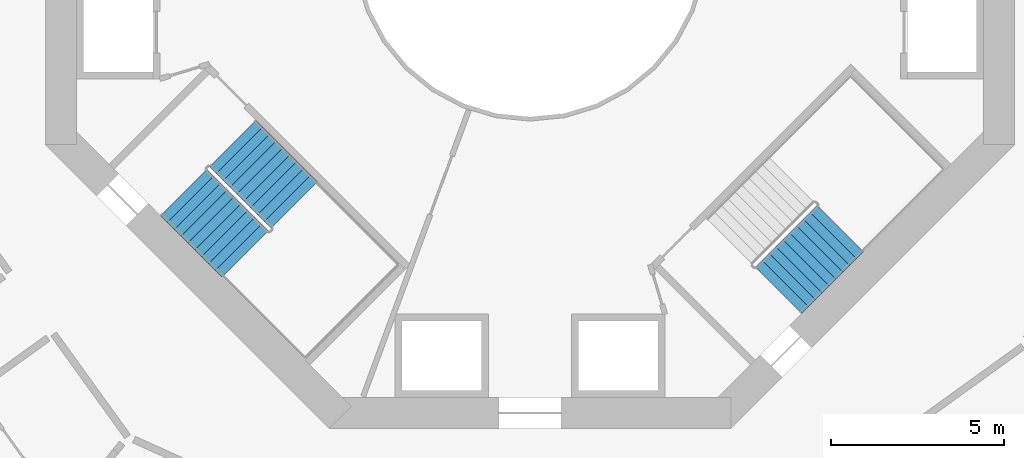
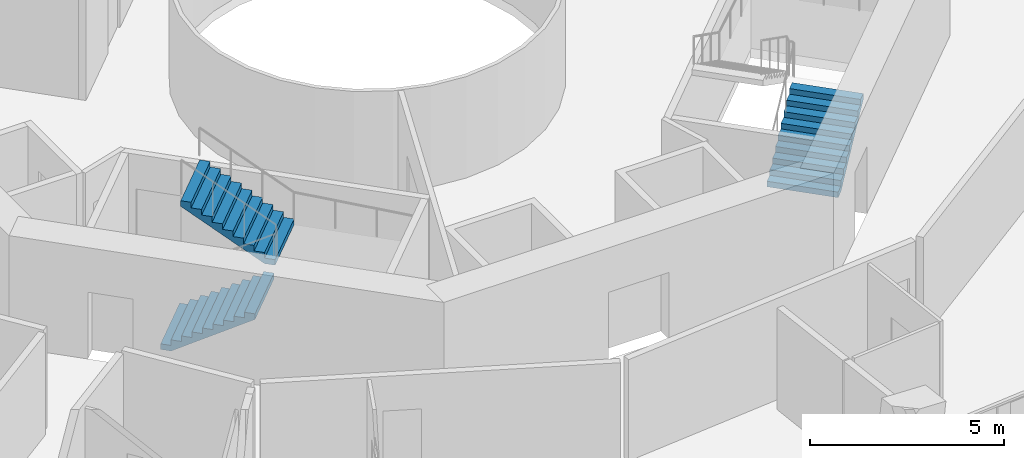
# One storey, part 24 of 26: 3 stair flights, 2 elements without a shape of their own.
"""IFC4 building model written with IfcOpenShell, lengths in metres."""

from ifc_helpers import new_model, si_unit, direction, frame, origin, place, context, subcontext, project, spatial, triangles, material, type_object, element, aggregate, save


model = new_model("IFC4")

# Units and contexts
model_context = context("Model", 3, precision=1e-05, world=origin(), true_north=direction((0.0, 1.0)))
body_context = subcontext(model_context, "Body", "Model", "MODEL_VIEW")
ifc_project = project(units=[si_unit("LENGTHUNIT", "METRE"), si_unit("AREAUNIT", "SQUARE_METRE"), si_unit("VOLUMEUNIT", "CUBIC_METRE"), si_unit("PLANEANGLEUNIT", "RADIAN"), si_unit("MASSUNIT", "GRAM", prefix="KILO")], contexts=[model_context])

# Site, building, storey
site_placement = place(None, origin())
site = spatial("IfcSite", under=ifc_project, at=site_placement, CompositionType="ELEMENT")
building_placement = place(site_placement, origin())
building = spatial("IfcBuilding", under=site, at=building_placement, Name="Verdalira Terraces Hotel", CompositionType="ELEMENT")
storey_placement = place(building_placement, frame((0.0, 0.0, 56.5)))
storey = spatial("IfcBuildingStorey", under=building, at=storey_placement, Name="L12", CompositionType="ELEMENT", Elevation=56.5)

# Stair, stair flights
ifc_material_1 = material(Name="Concrete C40", Category="concrete")
stair_type = type_object("IfcStairType", Name="Core stair 20 risers 1900 mm wide", PredefinedType="HALF_TURN_STAIR", material=ifc_material_1)
stair_1_placement = place(storey_placement, origin())
stair_1 = element("IfcStair", 1, at=stair_1_placement, inside=storey, type_object=stair_type, Name="L12 Exit stair ST2", PredefinedType="HALF_TURN_STAIR")
ifc_material_2 = material(Name="Concrete C40", Category="concrete")
stair_flight_type = type_object("IfcStairFlightType", Name="Core stair flight 20 risers 1900 mm wide", PredefinedType="STRAIGHT", material=ifc_material_2)
stair_flight_1_placement = place(storey_placement, frame((-10.005615, -7.177246, 0.0), z_axis=(0.0, 0.0, 1.0), x_axis=(0.707106781, -0.707106781, 0.0)))
stair_flight_1 = element("IfcStairFlight", 2, at=stair_flight_1_placement, type_object=stair_flight_type, Name="ST2 flight 1", NumberOfRisers=10, NumberOfTreads=9, PredefinedType="STRAIGHT", RiserHeight=0.175, TreadLength=0.28, context=body_context, shape_type="Tessellation", body=[
    triangles([(0.0, 0.949951, 0.0), (0.282715, 0.949951, 0.0), (2.52002, 0.949951, 1.398193), (0.0, -0.949951, 0.0), (0.282715, -0.949951, 0.0), (2.52002, -0.949951, 1.398193), (2.52002, 0.949951, 1.574951), (2.23999, 0.949951, 1.574951), (2.52002, -0.949951, 1.574951), (2.23999, -0.949951, 1.574951), (2.23999, 0.949951, 1.399902), (2.23999, -0.949951, 1.399902), (1.959961, 0.949951, 1.399902), (1.959961, -0.949951, 1.399902), (1.959961, 0.949951, 1.225098), (1.959961, -0.949951, 1.225098), (1.679932, 0.949951, 1.225098), (1.679932, 0.949951, 1.050049), (1.679932, -0.949951, 1.225098), (1.679932, -0.949951, 1.050049), (1.399902, 0.949951, 1.050049), (1.399902, 0.949951, 0.875), (1.399902, -0.949951, 1.050049), (1.399902, -0.949951, 0.875), (1.120117, 0.949951, 0.875), (1.120117, 0.949951, 0.699951), (1.120117, -0.949951, 0.875), (1.120117, -0.949951, 0.699951), (0.840088, 0.949951, 0.699951), (0.840088, 0.949951, 0.524902), (0.840088, -0.949951, 0.699951), (0.840088, -0.949951, 0.524902), (0.560059, 0.949951, 0.524902), (0.560059, 0.949951, 0.350098), (0.560059, -0.949951, 0.524902), (0.560059, -0.949951, 0.350098), (0.280029, 0.949951, 0.350098), (0.280029, 0.949951, 0.175049), (0.280029, -0.949951, 0.350098), (0.280029, -0.949951, 0.175049), (0.0, 0.949951, 0.175049), (0.0, -0.949951, 0.175049), (0.0, -0.890579, 0.0), (0.0, -0.890579, 0.175049), (0.0, -0.831207, 0.0), (0.0, -0.831207, 0.175049), (0.0, -0.771835, 0.0), (0.0, -0.771835, 0.175049), (0.0, -0.712463, 0.0), (0.0, -0.712463, 0.175049), (0.0, -0.653091, 0.0), (0.0, -0.653091, 0.175049), (0.0, -0.593719, 0.0), (0.0, -0.593719, 0.175049), (0.0, -0.534348, 0.0), (0.0, -0.534348, 0.175049), (0.0, -0.474976, 0.0), (0.0, -0.474976, 0.175049), (0.0, -0.415604, 0.0), (0.0, -0.415604, 0.175049), (0.0, -0.356232, 0.0), (0.0, -0.356232, 0.175049), (0.0, -0.29686, 0.0), (0.0, -0.29686, 0.175049), (0.0, -0.237488, 0.0), (0.0, -0.237488, 0.175049), (0.0, -0.178116, 0.0), (0.0, -0.178116, 0.175049), (0.0, -0.118744, 0.0), (0.0, -0.118744, 0.175049), (0.0, -0.059372, 0.0), (0.0, -0.059372, 0.175049), (0.0, 0.0, 0.0), (0.0, 0.0, 0.175049), (0.0, 0.059372, 0.0), (0.0, 0.059372, 0.175049), (0.0, 0.118744, 0.0), (0.0, 0.118744, 0.175049), (0.0, 0.178116, 0.0), (0.0, 0.178116, 0.175049), (0.0, 0.237488, 0.0), (0.0, 0.237488, 0.175049), (0.0, 0.29686, 0.0), (0.0, 0.29686, 0.175049), (0.0, 0.356232, 0.0), (0.0, 0.356232, 0.175049), (0.0, 0.415604, 0.0), (0.0, 0.415604, 0.175049), (0.0, 0.474976, 0.0), (0.0, 0.474976, 0.175049), (0.0, 0.534348, 0.0), (0.0, 0.534348, 0.175049), (0.0, 0.593719, 0.0), (0.0, 0.593719, 0.175049), (0.0, 0.653091, 0.0), (0.0, 0.653091, 0.175049), (0.0, 0.712463, 0.0), (0.0, 0.712463, 0.175049), (0.0, 0.771835, 0.0), (0.0, 0.771835, 0.175049), (0.0, 0.831207, 0.0), (0.0, 0.831207, 0.175049), (0.0, 0.890579, 0.0), (0.0, 0.890579, 0.175049), (2.52002, -0.890579, 1.574951), (2.52002, -0.831207, 1.574951), (2.52002, -0.771835, 1.574951), (2.52002, -0.712463, 1.574951), (2.52002, -0.653091, 1.574951), (2.52002, -0.593719, 1.574951), (2.52002, -0.534348, 1.574951), (2.52002, -0.474976, 1.574951), (2.52002, -0.415604, 1.574951), (2.52002, -0.356232, 1.574951), (2.52002, -0.29686, 1.574951), (2.52002, -0.237488, 1.574951), (2.52002, -0.178116, 1.574951), (2.52002, -0.118744, 1.574951), (2.52002, -0.059372, 1.574951), (2.52002, 0.0, 1.574951), (2.52002, 0.059372, 1.574951), (2.52002, 0.118744, 1.574951), (2.52002, 0.178116, 1.574951), (2.52002, 0.237488, 1.574951), (2.52002, 0.29686, 1.574951), (2.52002, 0.356232, 1.574951), (2.52002, 0.415604, 1.574951), (2.52002, 0.474976, 1.574951), (2.52002, 0.534348, 1.574951), (2.52002, 0.593719, 1.574951), (2.52002, 0.653091, 1.574951), (2.52002, 0.712463, 1.574951), (2.52002, 0.771835, 1.574951), (2.52002, 0.831207, 1.574951), (2.52002, 0.890579, 1.574951), (2.52002, -0.890579, 1.398193), (2.52002, -0.831207, 1.398193), (2.52002, -0.771835, 1.398193), (2.52002, -0.712463, 1.398193), (2.52002, -0.653091, 1.398193), (2.52002, -0.593719, 1.398193), (2.52002, -0.534348, 1.398193), (2.52002, -0.474976, 1.398193), (2.52002, -0.415604, 1.398193), (2.52002, -0.356232, 1.398193), (2.52002, -0.29686, 1.398193), (2.52002, -0.237488, 1.398193), (2.52002, -0.178116, 1.398193), (2.52002, -0.118744, 1.398193), (2.52002, -0.059372, 1.398193), (2.52002, 0.0, 1.398193), (2.52002, 0.059372, 1.398193), (2.52002, 0.118744, 1.398193), (2.52002, 0.178116, 1.398193), (2.52002, 0.237488, 1.398193), (2.52002, 0.29686, 1.398193), (2.52002, 0.356232, 1.398193), (2.52002, 0.415604, 1.398193), (2.52002, 0.474976, 1.398193), (2.52002, 0.534348, 1.398193), (2.52002, 0.593719, 1.398193), (2.52002, 0.653091, 1.398193), (2.52002, 0.712463, 1.398193), (2.52002, 0.771835, 1.398193), (2.52002, 0.831207, 1.398193), (2.52002, 0.890579, 1.398193)], [[1, 3, 2], [4, 5, 6], [3, 8, 7], [6, 9, 10], [3, 11, 8], [6, 10, 12], [3, 13, 11], [6, 12, 14], [3, 15, 13], [6, 14, 16], [15, 18, 17], [16, 19, 20], [3, 18, 15], [6, 16, 20], [18, 22, 21], [20, 23, 24], [3, 22, 18], [6, 20, 24], [22, 26, 25], [24, 27, 28], [3, 26, 22], [6, 24, 28], [26, 30, 29], [28, 31, 32], [3, 30, 26], [6, 28, 32], [1, 30, 3], [4, 6, 32], [30, 34, 33], [32, 35, 36], [34, 38, 37], [36, 39, 40], [30, 38, 34], [32, 36, 40], [1, 38, 30], [4, 32, 40], [38, 1, 41], [40, 42, 4], [4, 44, 43], [4, 42, 44], [43, 46, 45], [43, 44, 46], [45, 48, 47], [45, 46, 48], [47, 50, 49], [47, 48, 50], [49, 52, 51], [49, 50, 52], [51, 54, 53], [51, 52, 54], [53, 56, 55], [53, 54, 56], [55, 58, 57], [55, 56, 58], [57, 60, 59], [57, 58, 60], [59, 62, 61], [59, 60, 62], [61, 64, 63], [61, 62, 64], [63, 66, 65], [63, 64, 66], [65, 68, 67], [65, 66, 68], [67, 70, 69], [67, 68, 70], [69, 72, 71], [69, 70, 72], [71, 74, 73], [71, 72, 74], [73, 76, 75], [73, 74, 76], [75, 78, 77], [75, 76, 78], [77, 80, 79], [77, 78, 80], [79, 82, 81], [79, 80, 82], [81, 84, 83], [81, 82, 84], [83, 86, 85], [83, 84, 86], [85, 88, 87], [85, 86, 88], [87, 90, 89], [87, 88, 90], [89, 92, 91], [89, 90, 92], [91, 94, 93], [91, 92, 94], [93, 96, 95], [93, 94, 96], [95, 98, 97], [95, 96, 98], [97, 100, 99], [97, 98, 100], [99, 102, 101], [99, 100, 102], [101, 104, 103], [101, 102, 104], [103, 41, 1], [103, 104, 41], [42, 40, 44], [44, 40, 46], [46, 40, 48], [48, 40, 50], [50, 40, 52], [52, 40, 54], [54, 40, 56], [56, 40, 58], [58, 40, 60], [60, 40, 62], [62, 40, 64], [64, 40, 66], [66, 40, 68], [68, 40, 70], [70, 40, 72], [72, 40, 74], [74, 40, 76], [76, 40, 78], [78, 40, 80], [80, 40, 82], [82, 40, 84], [84, 40, 86], [86, 40, 88], [88, 40, 90], [90, 40, 92], [92, 40, 94], [94, 40, 96], [96, 40, 98], [98, 40, 100], [100, 40, 102], [102, 40, 104], [104, 40, 41], [41, 40, 38], [40, 37, 38], [40, 39, 37], [39, 34, 37], [39, 36, 34], [36, 33, 34], [36, 35, 33], [35, 30, 33], [35, 32, 30], [32, 29, 30], [32, 31, 29], [31, 26, 29], [31, 28, 26], [28, 25, 26], [28, 27, 25], [27, 22, 25], [27, 24, 22], [24, 21, 22], [24, 23, 21], [23, 18, 21], [23, 20, 18], [20, 17, 18], [20, 19, 17], [19, 15, 17], [19, 16, 15], [16, 13, 15], [16, 14, 13], [14, 11, 13], [14, 12, 11], [12, 8, 11], [12, 10, 8], [9, 105, 10], [105, 106, 10], [106, 107, 10], [107, 108, 10], [108, 109, 10], [109, 110, 10], [110, 111, 10], [111, 112, 10], [112, 113, 10], [113, 114, 10], [114, 115, 10], [115, 116, 10], [116, 117, 10], [117, 118, 10], [118, 119, 10], [119, 120, 10], [120, 121, 10], [121, 122, 10], [122, 123, 10], [123, 124, 10], [124, 125, 10], [125, 126, 10], [126, 127, 10], [127, 128, 10], [128, 129, 10], [129, 130, 10], [130, 131, 10], [131, 132, 10], [132, 133, 10], [133, 134, 10], [134, 135, 10], [135, 7, 10], [7, 8, 10], [9, 136, 105], [9, 6, 136], [105, 137, 106], [105, 136, 137], [106, 138, 107], [106, 137, 138], [107, 139, 108], [107, 138, 139], [108, 140, 109], [108, 139, 140], [109, 141, 110], [109, 140, 141], [110, 142, 111], [110, 141, 142], [111, 143, 112], [111, 142, 143], [112, 144, 113], [112, 143, 144], [113, 145, 114], [113, 144, 145], [114, 146, 115], [114, 145, 146], [115, 147, 116], [115, 146, 147], [116, 148, 117], [116, 147, 148], [117, 149, 118], [117, 148, 149], [118, 150, 119], [118, 149, 150], [119, 151, 120], [119, 150, 151], [120, 152, 121], [120, 151, 152], [121, 153, 122], [121, 152, 153], [122, 154, 123], [122, 153, 154], [123, 155, 124], [123, 154, 155], [124, 156, 125], [124, 155, 156], [125, 157, 126], [125, 156, 157], [126, 158, 127], [126, 157, 158], [127, 159, 128], [127, 158, 159], [128, 160, 129], [128, 159, 160], [129, 161, 130], [129, 160, 161], [130, 162, 131], [130, 161, 162], [131, 163, 132], [131, 162, 163], [132, 164, 133], [132, 163, 164], [133, 165, 134], [133, 164, 165], [134, 166, 135], [134, 165, 166], [135, 3, 7], [135, 166, 3], [6, 5, 136], [136, 5, 137], [137, 5, 138], [138, 5, 139], [139, 5, 140], [140, 5, 141], [141, 5, 142], [142, 5, 143], [143, 5, 144], [144, 5, 145], [145, 5, 146], [146, 5, 147], [147, 5, 148], [148, 5, 149], [149, 5, 150], [150, 5, 151], [151, 5, 152], [152, 5, 153], [153, 5, 154], [154, 5, 155], [155, 5, 156], [156, 5, 157], [157, 5, 158], [158, 5, 159], [159, 5, 160], [160, 5, 161], [161, 5, 162], [162, 5, 163], [163, 5, 164], [164, 5, 165], [165, 5, 166], [166, 5, 3], [3, 5, 2], [4, 43, 5], [43, 45, 5], [45, 47, 5], [47, 49, 5], [49, 51, 5], [51, 53, 5], [53, 55, 5], [55, 57, 5], [57, 59, 5], [59, 61, 5], [61, 63, 5], [63, 65, 5], [65, 67, 5], [67, 69, 5], [69, 71, 5], [71, 73, 5], [73, 75, 5], [75, 77, 5], [77, 79, 5], [79, 81, 5], [81, 83, 5], [83, 85, 5], [85, 87, 5], [87, 89, 5], [89, 91, 5], [91, 93, 5], [93, 95, 5], [95, 97, 5], [97, 99, 5], [99, 101, 5], [101, 103, 5], [103, 1, 5], [1, 2, 5]], closed=True),
])
stair_flight_2_placement = place(storey_placement, frame((-6.809326, -7.544922, 1.75), z_axis=(0.0, 0.0, 1.0), x_axis=(-0.707106781, 0.707106781, 0.0)))
stair_flight_2 = element("IfcStairFlight", 3, at=stair_flight_2_placement, type_object=stair_flight_type, Name="ST2 flight 2", NumberOfRisers=10, NumberOfTreads=9, PredefinedType="STRAIGHT", RiserHeight=0.175, TreadLength=0.28, context=body_context, shape_type="Tessellation", body=[
    triangles([(0.0, 0.949951, 0.0), (0.282715, 0.949951, 0.0), (2.52002, 0.949951, 1.398193), (0.0, -0.949951, 0.0), (0.282715, -0.949951, 0.0), (2.52002, -0.949951, 1.398193), (2.52002, 0.949951, 1.574951), (2.23999, 0.949951, 1.574951), (2.52002, -0.949951, 1.574951), (2.23999, -0.949951, 1.574951), (2.23999, 0.949951, 1.399902), (2.23999, -0.949951, 1.399902), (1.959961, 0.949951, 1.399902), (1.959961, -0.949951, 1.399902), (1.959961, 0.949951, 1.225098), (1.959961, -0.949951, 1.225098), (1.679932, 0.949951, 1.225098), (1.679932, 0.949951, 1.050049), (1.679932, -0.949951, 1.225098), (1.679932, -0.949951, 1.050049), (1.399902, 0.949951, 1.050049), (1.399902, 0.949951, 0.875), (1.399902, -0.949951, 1.050049), (1.399902, -0.949951, 0.875), (1.120117, 0.949951, 0.875), (1.120117, 0.949951, 0.699951), (1.120117, -0.949951, 0.875), (1.120117, -0.949951, 0.699951), (0.840088, 0.949951, 0.699951), (0.840088, 0.949951, 0.524902), (0.840088, -0.949951, 0.699951), (0.840088, -0.949951, 0.524902), (0.560059, 0.949951, 0.524902), (0.560059, 0.949951, 0.350098), (0.560059, -0.949951, 0.524902), (0.560059, -0.949951, 0.350098), (0.280029, 0.949951, 0.350098), (0.280029, 0.949951, 0.175049), (0.280029, -0.949951, 0.350098), (0.280029, -0.949951, 0.175049), (0.0, 0.949951, 0.175049), (0.0, -0.949951, 0.175049), (0.0, -0.890579, 0.0), (0.0, -0.890579, 0.175049), (0.0, -0.831207, 0.0), (0.0, -0.831207, 0.175049), (0.0, -0.771835, 0.0), (0.0, -0.771835, 0.175049), (0.0, -0.712463, 0.0), (0.0, -0.712463, 0.175049), (0.0, -0.653091, 0.0), (0.0, -0.653091, 0.175049), (0.0, -0.593719, 0.0), (0.0, -0.593719, 0.175049), (0.0, -0.534348, 0.0), (0.0, -0.534348, 0.175049), (0.0, -0.474976, 0.0), (0.0, -0.474976, 0.175049), (0.0, -0.415604, 0.0), (0.0, -0.415604, 0.175049), (0.0, -0.356232, 0.0), (0.0, -0.356232, 0.175049), (0.0, -0.29686, 0.0), (0.0, -0.29686, 0.175049), (0.0, -0.237488, 0.0), (0.0, -0.237488, 0.175049), (0.0, -0.178116, 0.0), (0.0, -0.178116, 0.175049), (0.0, -0.118744, 0.0), (0.0, -0.118744, 0.175049), (0.0, -0.059372, 0.0), (0.0, -0.059372, 0.175049), (0.0, 0.0, 0.0), (0.0, 0.0, 0.175049), (0.0, 0.059372, 0.0), (0.0, 0.059372, 0.175049), (0.0, 0.118744, 0.0), (0.0, 0.118744, 0.175049), (0.0, 0.178116, 0.0), (0.0, 0.178116, 0.175049), (0.0, 0.237488, 0.0), (0.0, 0.237488, 0.175049), (0.0, 0.29686, 0.0), (0.0, 0.29686, 0.175049), (0.0, 0.356232, 0.0), (0.0, 0.356232, 0.175049), (0.0, 0.415604, 0.0), (0.0, 0.415604, 0.175049), (0.0, 0.474976, 0.0), (0.0, 0.474976, 0.175049), (0.0, 0.534348, 0.0), (0.0, 0.534348, 0.175049), (0.0, 0.593719, 0.0), (0.0, 0.593719, 0.175049), (0.0, 0.653091, 0.0), (0.0, 0.653091, 0.175049), (0.0, 0.712463, 0.0), (0.0, 0.712463, 0.175049), (0.0, 0.771835, 0.0), (0.0, 0.771835, 0.175049), (0.0, 0.831207, 0.0), (0.0, 0.831207, 0.175049), (0.0, 0.890579, 0.0), (0.0, 0.890579, 0.175049), (2.52002, -0.890579, 1.574951), (2.52002, -0.831207, 1.574951), (2.52002, -0.771835, 1.574951), (2.52002, -0.712463, 1.574951), (2.52002, -0.653091, 1.574951), (2.52002, -0.593719, 1.574951), (2.52002, -0.534348, 1.574951), (2.52002, -0.474976, 1.574951), (2.52002, -0.415604, 1.574951), (2.52002, -0.356232, 1.574951), (2.52002, -0.29686, 1.574951), (2.52002, -0.237488, 1.574951), (2.52002, -0.178116, 1.574951), (2.52002, -0.118744, 1.574951), (2.52002, -0.059372, 1.574951), (2.52002, 0.0, 1.574951), (2.52002, 0.059372, 1.574951), (2.52002, 0.118744, 1.574951), (2.52002, 0.178116, 1.574951), (2.52002, 0.237488, 1.574951), (2.52002, 0.29686, 1.574951), (2.52002, 0.356232, 1.574951), (2.52002, 0.415604, 1.574951), (2.52002, 0.474976, 1.574951), (2.52002, 0.534348, 1.574951), (2.52002, 0.593719, 1.574951), (2.52002, 0.653091, 1.574951), (2.52002, 0.712463, 1.574951), (2.52002, 0.771835, 1.574951), (2.52002, 0.831207, 1.574951), (2.52002, 0.890579, 1.574951), (2.52002, -0.890579, 1.398193), (2.52002, -0.831207, 1.398193), (2.52002, -0.771835, 1.398193), (2.52002, -0.712463, 1.398193), (2.52002, -0.653091, 1.398193), (2.52002, -0.593719, 1.398193), (2.52002, -0.534348, 1.398193), (2.52002, -0.474976, 1.398193), (2.52002, -0.415604, 1.398193), (2.52002, -0.356232, 1.398193), (2.52002, -0.29686, 1.398193), (2.52002, -0.237488, 1.398193), (2.52002, -0.178116, 1.398193), (2.52002, -0.118744, 1.398193), (2.52002, -0.059372, 1.398193), (2.52002, 0.0, 1.398193), (2.52002, 0.059372, 1.398193), (2.52002, 0.118744, 1.398193), (2.52002, 0.178116, 1.398193), (2.52002, 0.237488, 1.398193), (2.52002, 0.29686, 1.398193), (2.52002, 0.356232, 1.398193), (2.52002, 0.415604, 1.398193), (2.52002, 0.474976, 1.398193), (2.52002, 0.534348, 1.398193), (2.52002, 0.593719, 1.398193), (2.52002, 0.653091, 1.398193), (2.52002, 0.712463, 1.398193), (2.52002, 0.771835, 1.398193), (2.52002, 0.831207, 1.398193), (2.52002, 0.890579, 1.398193)], [[1, 3, 2], [4, 5, 6], [3, 8, 7], [6, 9, 10], [3, 11, 8], [6, 10, 12], [3, 13, 11], [6, 12, 14], [3, 15, 13], [6, 14, 16], [15, 18, 17], [16, 19, 20], [3, 18, 15], [6, 16, 20], [18, 22, 21], [20, 23, 24], [3, 22, 18], [6, 20, 24], [22, 26, 25], [24, 27, 28], [3, 26, 22], [6, 24, 28], [26, 30, 29], [28, 31, 32], [3, 30, 26], [6, 28, 32], [1, 30, 3], [4, 6, 32], [30, 34, 33], [32, 35, 36], [34, 38, 37], [36, 39, 40], [30, 38, 34], [32, 36, 40], [1, 38, 30], [4, 32, 40], [38, 1, 41], [40, 42, 4], [4, 44, 43], [4, 42, 44], [43, 46, 45], [43, 44, 46], [45, 48, 47], [45, 46, 48], [47, 50, 49], [47, 48, 50], [49, 52, 51], [49, 50, 52], [51, 54, 53], [51, 52, 54], [53, 56, 55], [53, 54, 56], [55, 58, 57], [55, 56, 58], [57, 60, 59], [57, 58, 60], [59, 62, 61], [59, 60, 62], [61, 64, 63], [61, 62, 64], [63, 66, 65], [63, 64, 66], [65, 68, 67], [65, 66, 68], [67, 70, 69], [67, 68, 70], [69, 72, 71], [69, 70, 72], [71, 74, 73], [71, 72, 74], [73, 76, 75], [73, 74, 76], [75, 78, 77], [75, 76, 78], [77, 80, 79], [77, 78, 80], [79, 82, 81], [79, 80, 82], [81, 84, 83], [81, 82, 84], [83, 86, 85], [83, 84, 86], [85, 88, 87], [85, 86, 88], [87, 90, 89], [87, 88, 90], [89, 92, 91], [89, 90, 92], [91, 94, 93], [91, 92, 94], [93, 96, 95], [93, 94, 96], [95, 98, 97], [95, 96, 98], [97, 100, 99], [97, 98, 100], [99, 102, 101], [99, 100, 102], [101, 104, 103], [101, 102, 104], [103, 41, 1], [103, 104, 41], [42, 40, 44], [44, 40, 46], [46, 40, 48], [48, 40, 50], [50, 40, 52], [52, 40, 54], [54, 40, 56], [56, 40, 58], [58, 40, 60], [60, 40, 62], [62, 40, 64], [64, 40, 66], [66, 40, 68], [68, 40, 70], [70, 40, 72], [72, 40, 74], [74, 40, 76], [76, 40, 78], [78, 40, 80], [80, 40, 82], [82, 40, 84], [84, 40, 86], [86, 40, 88], [88, 40, 90], [90, 40, 92], [92, 40, 94], [94, 40, 96], [96, 40, 98], [98, 40, 100], [100, 40, 102], [102, 40, 104], [104, 40, 41], [41, 40, 38], [40, 37, 38], [40, 39, 37], [39, 34, 37], [39, 36, 34], [36, 33, 34], [36, 35, 33], [35, 30, 33], [35, 32, 30], [32, 29, 30], [32, 31, 29], [31, 26, 29], [31, 28, 26], [28, 25, 26], [28, 27, 25], [27, 22, 25], [27, 24, 22], [24, 21, 22], [24, 23, 21], [23, 18, 21], [23, 20, 18], [20, 17, 18], [20, 19, 17], [19, 15, 17], [19, 16, 15], [16, 13, 15], [16, 14, 13], [14, 11, 13], [14, 12, 11], [12, 8, 11], [12, 10, 8], [9, 105, 10], [105, 106, 10], [106, 107, 10], [107, 108, 10], [108, 109, 10], [109, 110, 10], [110, 111, 10], [111, 112, 10], [112, 113, 10], [113, 114, 10], [114, 115, 10], [115, 116, 10], [116, 117, 10], [117, 118, 10], [118, 119, 10], [119, 120, 10], [120, 121, 10], [121, 122, 10], [122, 123, 10], [123, 124, 10], [124, 125, 10], [125, 126, 10], [126, 127, 10], [127, 128, 10], [128, 129, 10], [129, 130, 10], [130, 131, 10], [131, 132, 10], [132, 133, 10], [133, 134, 10], [134, 135, 10], [135, 7, 10], [7, 8, 10], [9, 136, 105], [9, 6, 136], [105, 137, 106], [105, 136, 137], [106, 138, 107], [106, 137, 138], [107, 139, 108], [107, 138, 139], [108, 140, 109], [108, 139, 140], [109, 141, 110], [109, 140, 141], [110, 142, 111], [110, 141, 142], [111, 143, 112], [111, 142, 143], [112, 144, 113], [112, 143, 144], [113, 145, 114], [113, 144, 145], [114, 146, 115], [114, 145, 146], [115, 147, 116], [115, 146, 147], [116, 148, 117], [116, 147, 148], [117, 149, 118], [117, 148, 149], [118, 150, 119], [118, 149, 150], [119, 151, 120], [119, 150, 151], [120, 152, 121], [120, 151, 152], [121, 153, 122], [121, 152, 153], [122, 154, 123], [122, 153, 154], [123, 155, 124], [123, 154, 155], [124, 156, 125], [124, 155, 156], [125, 157, 126], [125, 156, 157], [126, 158, 127], [126, 157, 158], [127, 159, 128], [127, 158, 159], [128, 160, 129], [128, 159, 160], [129, 161, 130], [129, 160, 161], [130, 162, 131], [130, 161, 162], [131, 163, 132], [131, 162, 163], [132, 164, 133], [132, 163, 164], [133, 165, 134], [133, 164, 165], [134, 166, 135], [134, 165, 166], [135, 3, 7], [135, 166, 3], [6, 5, 136], [136, 5, 137], [137, 5, 138], [138, 5, 139], [139, 5, 140], [140, 5, 141], [141, 5, 142], [142, 5, 143], [143, 5, 144], [144, 5, 145], [145, 5, 146], [146, 5, 147], [147, 5, 148], [148, 5, 149], [149, 5, 150], [150, 5, 151], [151, 5, 152], [152, 5, 153], [153, 5, 154], [154, 5, 155], [155, 5, 156], [156, 5, 157], [157, 5, 158], [158, 5, 159], [159, 5, 160], [160, 5, 161], [161, 5, 162], [162, 5, 163], [163, 5, 164], [164, 5, 165], [165, 5, 166], [166, 5, 3], [3, 5, 2], [4, 43, 5], [43, 45, 5], [45, 47, 5], [47, 49, 5], [49, 51, 5], [51, 53, 5], [53, 55, 5], [55, 57, 5], [57, 59, 5], [59, 61, 5], [61, 63, 5], [63, 65, 5], [65, 67, 5], [67, 69, 5], [69, 71, 5], [71, 73, 5], [73, 75, 5], [75, 77, 5], [77, 79, 5], [79, 81, 5], [81, 83, 5], [83, 85, 5], [85, 87, 5], [87, 89, 5], [89, 91, 5], [91, 93, 5], [93, 95, 5], [95, 97, 5], [97, 99, 5], [99, 101, 5], [101, 103, 5], [103, 1, 5], [1, 2, 5]], closed=True),
])
aggregate(stair_1, [stair_flight_1, stair_flight_2])

# Stair, stair flight
stair_2_placement = place(storey_placement, origin())
stair_2 = element("IfcStair", 4, at=stair_2_placement, inside=storey, type_object=stair_type, Name="L12 Exit stair ST3", PredefinedType="HALF_TURN_STAIR")
stair_flight_3_placement = place(storey_placement, frame((7.177246, -10.005615, 0.0), z_axis=(0.0, 0.0, 1.0), x_axis=(0.707106781, 0.707106781, 0.0)))
stair_flight_3 = element("IfcStairFlight", 5, at=stair_flight_3_placement, type_object=stair_flight_type, Name="ST3 flight 1", NumberOfRisers=10, NumberOfTreads=9, PredefinedType="STRAIGHT", RiserHeight=0.175, TreadLength=0.28, context=body_context, shape_type="Tessellation", body=[
    triangles([(0.0, 0.949951, 0.0), (0.282715, 0.949951, 0.0), (2.52002, 0.949951, 1.398193), (0.0, -0.949951, 0.0), (0.282715, -0.949951, 0.0), (2.52002, -0.949951, 1.398193), (2.52002, 0.949951, 1.574951), (2.23999, 0.949951, 1.574951), (2.52002, -0.949951, 1.574951), (2.23999, -0.949951, 1.574951), (2.23999, 0.949951, 1.399902), (2.23999, -0.949951, 1.399902), (1.959961, 0.949951, 1.399902), (1.959961, -0.949951, 1.399902), (1.959961, 0.949951, 1.225098), (1.959961, -0.949951, 1.225098), (1.679932, 0.949951, 1.225098), (1.679932, 0.949951, 1.050049), (1.679932, -0.949951, 1.225098), (1.679932, -0.949951, 1.050049), (1.399902, 0.949951, 1.050049), (1.399902, 0.949951, 0.875), (1.399902, -0.949951, 1.050049), (1.399902, -0.949951, 0.875), (1.120117, 0.949951, 0.875), (1.120117, 0.949951, 0.699951), (1.120117, -0.949951, 0.875), (1.120117, -0.949951, 0.699951), (0.840088, 0.949951, 0.699951), (0.840088, 0.949951, 0.524902), (0.840088, -0.949951, 0.699951), (0.840088, -0.949951, 0.524902), (0.560059, 0.949951, 0.524902), (0.560059, 0.949951, 0.350098), (0.560059, -0.949951, 0.524902), (0.560059, -0.949951, 0.350098), (0.280029, 0.949951, 0.350098), (0.280029, 0.949951, 0.175049), (0.280029, -0.949951, 0.350098), (0.280029, -0.949951, 0.175049), (0.0, 0.949951, 0.175049), (0.0, -0.949951, 0.175049), (0.0, -0.890579, 0.0), (0.0, -0.890579, 0.175049), (0.0, -0.831207, 0.0), (0.0, -0.831207, 0.175049), (0.0, -0.771835, 0.0), (0.0, -0.771835, 0.175049), (0.0, -0.712463, 0.0), (0.0, -0.712463, 0.175049), (0.0, -0.653091, 0.0), (0.0, -0.653091, 0.175049), (0.0, -0.593719, 0.0), (0.0, -0.593719, 0.175049), (0.0, -0.534348, 0.0), (0.0, -0.534348, 0.175049), (0.0, -0.474976, 0.0), (0.0, -0.474976, 0.175049), (0.0, -0.415604, 0.0), (0.0, -0.415604, 0.175049), (0.0, -0.356232, 0.0), (0.0, -0.356232, 0.175049), (0.0, -0.29686, 0.0), (0.0, -0.29686, 0.175049), (0.0, -0.237488, 0.0), (0.0, -0.237488, 0.175049), (0.0, -0.178116, 0.0), (0.0, -0.178116, 0.175049), (0.0, -0.118744, 0.0), (0.0, -0.118744, 0.175049), (0.0, -0.059372, 0.0), (0.0, -0.059372, 0.175049), (0.0, 0.0, 0.0), (0.0, 0.0, 0.175049), (0.0, 0.059372, 0.0), (0.0, 0.059372, 0.175049), (0.0, 0.118744, 0.0), (0.0, 0.118744, 0.175049), (0.0, 0.178116, 0.0), (0.0, 0.178116, 0.175049), (0.0, 0.237488, 0.0), (0.0, 0.237488, 0.175049), (0.0, 0.29686, 0.0), (0.0, 0.29686, 0.175049), (0.0, 0.356232, 0.0), (0.0, 0.356232, 0.175049), (0.0, 0.415604, 0.0), (0.0, 0.415604, 0.175049), (0.0, 0.474976, 0.0), (0.0, 0.474976, 0.175049), (0.0, 0.534348, 0.0), (0.0, 0.534348, 0.175049), (0.0, 0.593719, 0.0), (0.0, 0.593719, 0.175049), (0.0, 0.653091, 0.0), (0.0, 0.653091, 0.175049), (0.0, 0.712463, 0.0), (0.0, 0.712463, 0.175049), (0.0, 0.771835, 0.0), (0.0, 0.771835, 0.175049), (0.0, 0.831207, 0.0), (0.0, 0.831207, 0.175049), (0.0, 0.890579, 0.0), (0.0, 0.890579, 0.175049), (2.52002, -0.890579, 1.574951), (2.52002, -0.831207, 1.574951), (2.52002, -0.771835, 1.574951), (2.52002, -0.712463, 1.574951), (2.52002, -0.653091, 1.574951), (2.52002, -0.593719, 1.574951), (2.52002, -0.534348, 1.574951), (2.52002, -0.474976, 1.574951), (2.52002, -0.415604, 1.574951), (2.52002, -0.356232, 1.574951), (2.52002, -0.29686, 1.574951), (2.52002, -0.237488, 1.574951), (2.52002, -0.178116, 1.574951), (2.52002, -0.118744, 1.574951), (2.52002, -0.059372, 1.574951), (2.52002, 0.0, 1.574951), (2.52002, 0.059372, 1.574951), (2.52002, 0.118744, 1.574951), (2.52002, 0.178116, 1.574951), (2.52002, 0.237488, 1.574951), (2.52002, 0.29686, 1.574951), (2.52002, 0.356232, 1.574951), (2.52002, 0.415604, 1.574951), (2.52002, 0.474976, 1.574951), (2.52002, 0.534348, 1.574951), (2.52002, 0.593719, 1.574951), (2.52002, 0.653091, 1.574951), (2.52002, 0.712463, 1.574951), (2.52002, 0.771835, 1.574951), (2.52002, 0.831207, 1.574951), (2.52002, 0.890579, 1.574951), (2.52002, -0.890579, 1.398193), (2.52002, -0.831207, 1.398193), (2.52002, -0.771835, 1.398193), (2.52002, -0.712463, 1.398193), (2.52002, -0.653091, 1.398193), (2.52002, -0.593719, 1.398193), (2.52002, -0.534348, 1.398193), (2.52002, -0.474976, 1.398193), (2.52002, -0.415604, 1.398193), (2.52002, -0.356232, 1.398193), (2.52002, -0.29686, 1.398193), (2.52002, -0.237488, 1.398193), (2.52002, -0.178116, 1.398193), (2.52002, -0.118744, 1.398193), (2.52002, -0.059372, 1.398193), (2.52002, 0.0, 1.398193), (2.52002, 0.059372, 1.398193), (2.52002, 0.118744, 1.398193), (2.52002, 0.178116, 1.398193), (2.52002, 0.237488, 1.398193), (2.52002, 0.29686, 1.398193), (2.52002, 0.356232, 1.398193), (2.52002, 0.415604, 1.398193), (2.52002, 0.474976, 1.398193), (2.52002, 0.534348, 1.398193), (2.52002, 0.593719, 1.398193), (2.52002, 0.653091, 1.398193), (2.52002, 0.712463, 1.398193), (2.52002, 0.771835, 1.398193), (2.52002, 0.831207, 1.398193), (2.52002, 0.890579, 1.398193)], [[1, 3, 2], [4, 5, 6], [3, 8, 7], [6, 9, 10], [3, 11, 8], [6, 10, 12], [3, 13, 11], [6, 12, 14], [3, 15, 13], [6, 14, 16], [15, 18, 17], [16, 19, 20], [3, 18, 15], [6, 16, 20], [18, 22, 21], [20, 23, 24], [3, 22, 18], [6, 20, 24], [22, 26, 25], [24, 27, 28], [3, 26, 22], [6, 24, 28], [26, 30, 29], [28, 31, 32], [3, 30, 26], [6, 28, 32], [1, 30, 3], [4, 6, 32], [30, 34, 33], [32, 35, 36], [34, 38, 37], [36, 39, 40], [30, 38, 34], [32, 36, 40], [1, 38, 30], [4, 32, 40], [38, 1, 41], [40, 42, 4], [4, 44, 43], [4, 42, 44], [43, 46, 45], [43, 44, 46], [45, 48, 47], [45, 46, 48], [47, 50, 49], [47, 48, 50], [49, 52, 51], [49, 50, 52], [51, 54, 53], [51, 52, 54], [53, 56, 55], [53, 54, 56], [55, 58, 57], [55, 56, 58], [57, 60, 59], [57, 58, 60], [59, 62, 61], [59, 60, 62], [61, 64, 63], [61, 62, 64], [63, 66, 65], [63, 64, 66], [65, 68, 67], [65, 66, 68], [67, 70, 69], [67, 68, 70], [69, 72, 71], [69, 70, 72], [71, 74, 73], [71, 72, 74], [73, 76, 75], [73, 74, 76], [75, 78, 77], [75, 76, 78], [77, 80, 79], [77, 78, 80], [79, 82, 81], [79, 80, 82], [81, 84, 83], [81, 82, 84], [83, 86, 85], [83, 84, 86], [85, 88, 87], [85, 86, 88], [87, 90, 89], [87, 88, 90], [89, 92, 91], [89, 90, 92], [91, 94, 93], [91, 92, 94], [93, 96, 95], [93, 94, 96], [95, 98, 97], [95, 96, 98], [97, 100, 99], [97, 98, 100], [99, 102, 101], [99, 100, 102], [101, 104, 103], [101, 102, 104], [103, 41, 1], [103, 104, 41], [42, 40, 44], [44, 40, 46], [46, 40, 48], [48, 40, 50], [50, 40, 52], [52, 40, 54], [54, 40, 56], [56, 40, 58], [58, 40, 60], [60, 40, 62], [62, 40, 64], [64, 40, 66], [66, 40, 68], [68, 40, 70], [70, 40, 72], [72, 40, 74], [74, 40, 76], [76, 40, 78], [78, 40, 80], [80, 40, 82], [82, 40, 84], [84, 40, 86], [86, 40, 88], [88, 40, 90], [90, 40, 92], [92, 40, 94], [94, 40, 96], [96, 40, 98], [98, 40, 100], [100, 40, 102], [102, 40, 104], [104, 40, 41], [41, 40, 38], [40, 37, 38], [40, 39, 37], [39, 34, 37], [39, 36, 34], [36, 33, 34], [36, 35, 33], [35, 30, 33], [35, 32, 30], [32, 29, 30], [32, 31, 29], [31, 26, 29], [31, 28, 26], [28, 25, 26], [28, 27, 25], [27, 22, 25], [27, 24, 22], [24, 21, 22], [24, 23, 21], [23, 18, 21], [23, 20, 18], [20, 17, 18], [20, 19, 17], [19, 15, 17], [19, 16, 15], [16, 13, 15], [16, 14, 13], [14, 11, 13], [14, 12, 11], [12, 8, 11], [12, 10, 8], [9, 105, 10], [105, 106, 10], [106, 107, 10], [107, 108, 10], [108, 109, 10], [109, 110, 10], [110, 111, 10], [111, 112, 10], [112, 113, 10], [113, 114, 10], [114, 115, 10], [115, 116, 10], [116, 117, 10], [117, 118, 10], [118, 119, 10], [119, 120, 10], [120, 121, 10], [121, 122, 10], [122, 123, 10], [123, 124, 10], [124, 125, 10], [125, 126, 10], [126, 127, 10], [127, 128, 10], [128, 129, 10], [129, 130, 10], [130, 131, 10], [131, 132, 10], [132, 133, 10], [133, 134, 10], [134, 135, 10], [135, 7, 10], [7, 8, 10], [9, 136, 105], [9, 6, 136], [105, 137, 106], [105, 136, 137], [106, 138, 107], [106, 137, 138], [107, 139, 108], [107, 138, 139], [108, 140, 109], [108, 139, 140], [109, 141, 110], [109, 140, 141], [110, 142, 111], [110, 141, 142], [111, 143, 112], [111, 142, 143], [112, 144, 113], [112, 143, 144], [113, 145, 114], [113, 144, 145], [114, 146, 115], [114, 145, 146], [115, 147, 116], [115, 146, 147], [116, 148, 117], [116, 147, 148], [117, 149, 118], [117, 148, 149], [118, 150, 119], [118, 149, 150], [119, 151, 120], [119, 150, 151], [120, 152, 121], [120, 151, 152], [121, 153, 122], [121, 152, 153], [122, 154, 123], [122, 153, 154], [123, 155, 124], [123, 154, 155], [124, 156, 125], [124, 155, 156], [125, 157, 126], [125, 156, 157], [126, 158, 127], [126, 157, 158], [127, 159, 128], [127, 158, 159], [128, 160, 129], [128, 159, 160], [129, 161, 130], [129, 160, 161], [130, 162, 131], [130, 161, 162], [131, 163, 132], [131, 162, 163], [132, 164, 133], [132, 163, 164], [133, 165, 134], [133, 164, 165], [134, 166, 135], [134, 165, 166], [135, 3, 7], [135, 166, 3], [6, 5, 136], [136, 5, 137], [137, 5, 138], [138, 5, 139], [139, 5, 140], [140, 5, 141], [141, 5, 142], [142, 5, 143], [143, 5, 144], [144, 5, 145], [145, 5, 146], [146, 5, 147], [147, 5, 148], [148, 5, 149], [149, 5, 150], [150, 5, 151], [151, 5, 152], [152, 5, 153], [153, 5, 154], [154, 5, 155], [155, 5, 156], [156, 5, 157], [157, 5, 158], [158, 5, 159], [159, 5, 160], [160, 5, 161], [161, 5, 162], [162, 5, 163], [163, 5, 164], [164, 5, 165], [165, 5, 166], [166, 5, 3], [3, 5, 2], [4, 43, 5], [43, 45, 5], [45, 47, 5], [47, 49, 5], [49, 51, 5], [51, 53, 5], [53, 55, 5], [55, 57, 5], [57, 59, 5], [59, 61, 5], [61, 63, 5], [63, 65, 5], [65, 67, 5], [67, 69, 5], [69, 71, 5], [71, 73, 5], [73, 75, 5], [75, 77, 5], [77, 79, 5], [79, 81, 5], [81, 83, 5], [83, 85, 5], [85, 87, 5], [87, 89, 5], [89, 91, 5], [91, 93, 5], [93, 95, 5], [95, 97, 5], [97, 99, 5], [99, 101, 5], [101, 103, 5], [103, 1, 5], [1, 2, 5]], closed=True),
])
aggregate(stair_2, [stair_flight_3])

save(model, "model.ifc")
